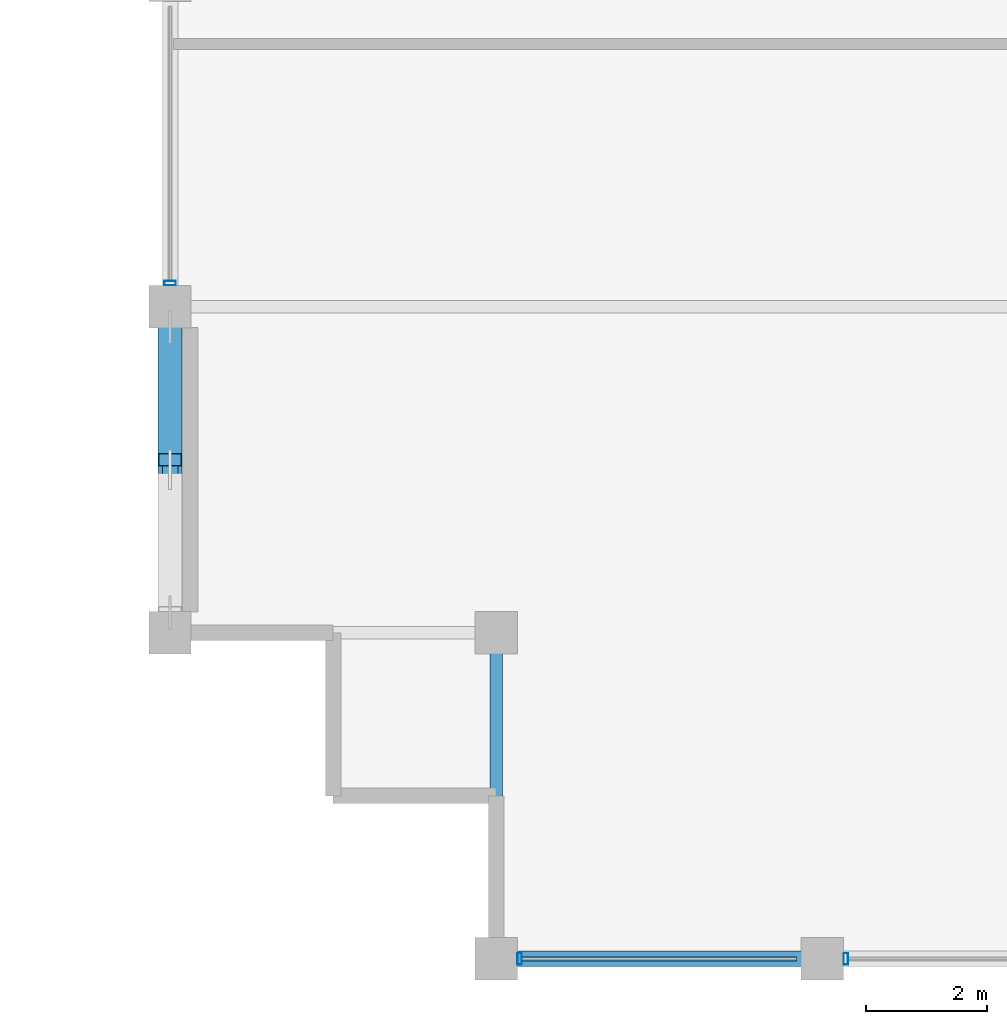
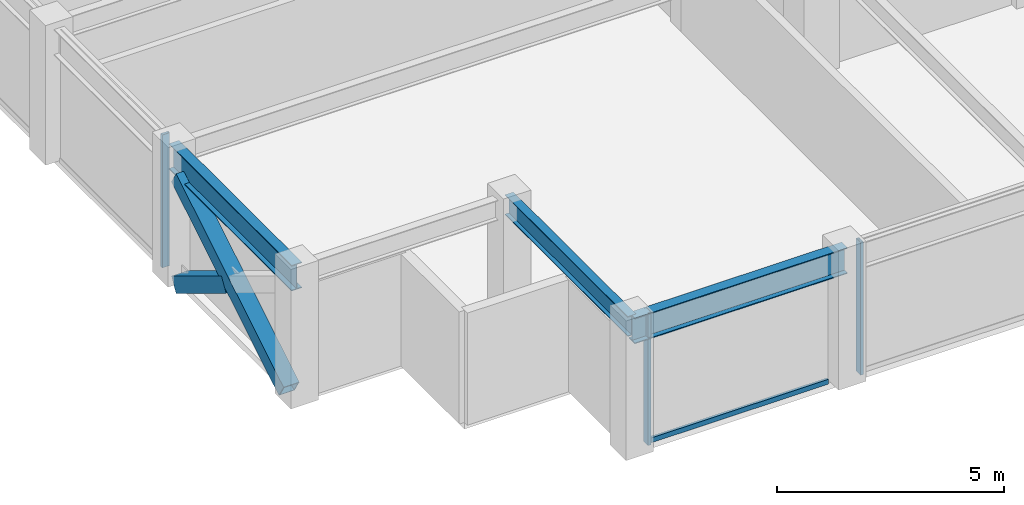
# One storey, part 2 of 31: 6 members, 3 beams, 2 elements without a shape of their own.
"""IFC4 building model written with IfcOpenShell, lengths in metres."""

from ifc_helpers import new_model, si_unit, direction, frame, origin, origin_2d, place, context, subcontext, project, spatial, hollow_rectangle, i_section, extrude, material, layer, layer_set, material_profile, profile_set, type_object, element, aggregate, save


model = new_model("IFC4")

# Units and contexts
model_context = context("Model", 3, precision=1e-05, world=origin(), true_north=direction((0.0, 1.0)))
body_context = subcontext(model_context, "Body", "Model", "MODEL_VIEW")
ifc_project = project(units=[si_unit("LENGTHUNIT", "METRE"), si_unit("AREAUNIT", "SQUARE_METRE"), si_unit("VOLUMEUNIT", "CUBIC_METRE"), si_unit("PLANEANGLEUNIT", "RADIAN"), si_unit("MASSUNIT", "GRAM", prefix="KILO")], contexts=[model_context])

# Site, building, storey
site_placement = place(None, origin())
site = spatial("IfcSite", under=ifc_project, at=site_placement, CompositionType="ELEMENT")
building_placement = place(site_placement, origin())
building = spatial("IfcBuilding", under=site, at=building_placement, Name="Surkhivell Harbour Commons", CompositionType="ELEMENT")
storey_placement = place(building_placement, frame((0.0, 0.0, 266.25)))
storey = spatial("IfcBuildingStorey", under=building, at=storey_placement, Name="L69", CompositionType="ELEMENT", Elevation=266.25)

# Beams
ifc_material_1 = material(Name="Steel S355", Category="steel")
ifc_material_profile_1 = material_profile(ifc_material_1, i_section(OverallWidth=0.2099609375, OverallDepth=0.537109375, WebThickness=0.0107421875, FlangeThickness=0.017333984375, at=origin_2d()), Name="UB533x210x101")
ifc_profile_set_1 = profile_set([ifc_material_profile_1], Name="Steel S355")
beam_type_1 = type_object("IfcBeamType", Name="BM-GRD-533B", PredefinedType="BEAM", material=ifc_profile_set_1)
beam_1_placement = place(storey_placement, frame((-21.60009765625, -21.60009765625, 3.301513671875), z_axis=(0.0, 1.0, 0.0), x_axis=(-1.0, 0.0, 0.0)))
element("IfcBeam", 1, at=beam_1_placement, inside=storey, type_object=beam_type_1, Name="L69 Floor Girder (-21.6,-21.6)", PredefinedType="BEAM", context=body_context, shape_type="SweptSolid", body=[
    extrude(i_section(OverallWidth=0.2099609375, OverallDepth=0.537109375, WebThickness=0.0107421875, FlangeThickness=0.017333984375, at=origin_2d()), origin(), (0.0, 0.0, 1.0), 5.400146484375),
])
ifc_material_profile_2 = material_profile(ifc_material_1, i_section(OverallWidth=0.256103515625, OverallDepth=0.693115234375, WebThickness=0.014404296875, FlangeThickness=0.023681640625, at=origin_2d()), Name="UB686x254x170")
ifc_profile_set_2 = profile_set([ifc_material_profile_2], Name="Steel S355")
beam_type_2 = type_object("IfcBeamType", Name="BM-SPN-686", PredefinedType="SPANDREL", material=ifc_profile_set_2)
beam_2_placement = place(storey_placement, frame((-27.0, -16.199951171875, 3.223388671875), z_axis=(0.0, 1.0, 0.0), x_axis=(-1.0, 0.0, 0.0)))
element("IfcBeam", 2, at=beam_2_placement, inside=storey, type_object=beam_type_2, Name="L69 Tube Spandrel (-27.0,-16.2)", PredefinedType="SPANDREL", context=body_context, shape_type="SweptSolid", body=[
    extrude(i_section(OverallWidth=0.256103515625, OverallDepth=0.693115234375, WebThickness=0.014404296875, FlangeThickness=0.023681640625, at=origin_2d()), origin(), (0.0, 0.0, 1.0), 5.39990234375),
])
beam_3_placement = place(storey_placement, frame((-21.60009765625, -21.60009765625, 3.223388671875), z_axis=(1.0, 0.0, 0.0), x_axis=(0.0, 1.0, 0.0)))
element("IfcBeam", 3, at=beam_3_placement, inside=storey, type_object=beam_type_2, Name="L69 Tube Spandrel (-21.6,-21.6)", PredefinedType="SPANDREL", context=body_context, shape_type="SweptSolid", body=[
    extrude(i_section(OverallWidth=0.256103515625, OverallDepth=0.693115234375, WebThickness=0.014404296875, FlangeThickness=0.023681640625, at=origin_2d()), origin(), (0.0, 0.0, 1.0), 5.400146484375),
])

# Curtain wall, members
ifc_material_2 = material(Name="Anodised pale-metal aluminium and insulated glazing", Category="aluminium")
ifc_layer = layer(ifc_material_2, 0.175048828125)
ifc_layer_set = layer_set([ifc_layer], Name="Anodised pale-metal aluminium and insulated glazing")
curtain_wall_type = type_object("IfcCurtainWallType", Name="CW-SYS-Z4", PredefinedType="NOTDEFINED", material=ifc_layer_set)
curtain_wall_1_placement = place(storey_placement, origin())
curtain_wall_1 = element("IfcCurtainWall", 4, at=curtain_wall_1_placement, inside=storey, type_object=curtain_wall_type, Name="L69 Curtain Wall CW-L69-E00S1", PredefinedType="NOTDEFINED")
ifc_material_3 = material(Name="Anodised pale-metal aluminium alloy 6063-T6", Category="aluminium")
ifc_material_profile_3 = material_profile(ifc_material_3, hollow_rectangle(XDim=0.074951171875, YDim=0.18994140625, WallThickness=0.00390625, at=origin_2d()), Name="ALU-MULL-75x190")
ifc_profile_set_3 = profile_set([ifc_material_profile_3], Name="Anodised pale-metal aluminium alloy 6063-T6")
member_type_1 = type_object("IfcMemberType", Name="CWM-190", PredefinedType="MULLION", material=ifc_profile_set_3)
member_1_placement = place(storey_placement, frame((-21.21044921875, -21.60009765625, 0.0), z_axis=(0.0, 0.0, 1.0), x_axis=(1.0, 0.0, 0.0)))
member_1 = element("IfcMember", 5, at=member_1_placement, type_object=member_type_1, Name="CW-Z4 mullion 1", PredefinedType="MULLION", context=body_context, shape_type="SweptSolid", body=[
    extrude(hollow_rectangle(XDim=0.074951171875, YDim=0.18994140625, WallThickness=0.00390625, at=origin_2d()), origin(), (0.0, 0.0, 1.0), 3.570068359375),
])
member_2_placement = place(storey_placement, frame((-15.810546875, -21.60009765625, 0.0), z_axis=(0.0, 0.0, 1.0), x_axis=(1.0, 0.0, 0.0)))
member_2 = element("IfcMember", 6, at=member_2_placement, type_object=member_type_1, Name="CW-Z4 mullion 2", PredefinedType="MULLION", context=body_context, shape_type="SweptSolid", body=[
    extrude(hollow_rectangle(XDim=0.074951171875, YDim=0.18994140625, WallThickness=0.00390625, at=origin_2d()), origin(), (0.0, 0.0, 1.0), 3.570068359375),
])

# Curtain wall, member
curtain_wall_2_placement = place(storey_placement, origin())
curtain_wall_2 = element("IfcCurtainWall", 7, at=curtain_wall_2_placement, inside=storey, type_object=curtain_wall_type, Name="L69 Curtain Wall CW-L69-E12R1S1", PredefinedType="NOTDEFINED")
member_3_placement = place(storey_placement, frame((-27.0, -10.410400390625, 0.0), z_axis=(0.0, 0.0, 1.0), x_axis=(0.0, 1.0, 0.0)))
member_3 = element("IfcMember", 8, at=member_3_placement, type_object=member_type_1, Name="CW-Z4 mullion 1", PredefinedType="MULLION", context=body_context, shape_type="SweptSolid", body=[
    extrude(hollow_rectangle(XDim=0.074951171875, YDim=0.18994140625, WallThickness=0.00390625, at=origin_2d()), origin(), (0.0, 0.0, 1.0), 3.570068359375),
])
aggregate(curtain_wall_2, [member_3])

# Member
ifc_material_4 = material(Name="Champagne anodised aluminium alloy 6063-T6", Category="aluminium")
ifc_material_profile_4 = material_profile(ifc_material_4, hollow_rectangle(XDim=0.070068359375, YDim=0.1298828125, WallThickness=0.00341796875, at=origin_2d()), Name="ALU-TRAN-70x130")
ifc_profile_set_4 = profile_set([ifc_material_profile_4], Name="Champagne anodised aluminium alloy 6063-T6")
member_type_2 = type_object("IfcMemberType", Name="CWT-130", PredefinedType="USERDEFINED", material=ifc_profile_set_4)
member_4_placement = place(storey_placement, frame((-21.173095703125, -21.60009765625, 0.06494140625), z_axis=(1.0, 0.0, 0.0), x_axis=(0.0, 1.0, 0.0)))
member_4 = element("IfcMember", 9, at=member_4_placement, type_object=member_type_2, Name="CW-Z4 transom 1.1", ObjectType="TRANSOM", PredefinedType="USERDEFINED", context=body_context, shape_type="SweptSolid", body=[
    extrude(hollow_rectangle(XDim=0.070068359375, YDim=0.1298828125, WallThickness=0.00341796875, at=origin_2d()), origin(), (0.0, 0.0, 1.0), 4.546142578125),
])

aggregate(curtain_wall_1, [member_1, member_4, member_2])

# Members
ifc_material_5 = material(Name="Steel S460", Category="steel")
ifc_material_profile_5 = material_profile(ifc_material_5, hollow_rectangle(XDim=0.39990234375, YDim=0.39990234375, WallThickness=0.02001953125, at=origin_2d()), Name="SHS400x400x20")
ifc_profile_set_5 = profile_set([ifc_material_profile_5], Name="Steel S460")
member_type_3 = type_object("IfcMemberType", Name="MEM-BRC-SHS400", PredefinedType="BRACE", material=ifc_profile_set_5)
member_5_placement = place(storey_placement, frame((-27.0, -15.864990234375, 0.008056640625), z_axis=(0.0, 0.854685454322, 0.519146197299), x_axis=(-1.0, 0.0, 0.0)))
element("IfcMember", 10, at=member_5_placement, inside=storey, type_object=member_type_3, Name="L69 Perimeter Mega-Brace MB- 10", PredefinedType="BRACE", context=body_context, shape_type="SweptSolid", body=[
    extrude(hollow_rectangle(XDim=0.39990234375, YDim=0.39990234375, WallThickness=0.02001953125, at=origin_2d()), origin(), (0.0, 0.0, 1.0), 5.5341796875),
])
member_6_placement = place(storey_placement, frame((-27.0, -11.135009765625, 0.008056640625), z_axis=(0.0, -0.854719912157, 0.519089464122), x_axis=(1.0, 0.0, 0.0)))
element("IfcMember", 11, at=member_6_placement, inside=storey, type_object=member_type_3, Name="L69 Perimeter Mega-Brace MB- 11", PredefinedType="BRACE", context=body_context, shape_type="SweptSolid", body=[
    extrude(hollow_rectangle(XDim=0.39990234375, YDim=0.39990234375, WallThickness=0.02001953125, at=origin_2d()), origin(), (0.0, 0.0, 1.0), 2.574951171875),
])

save(model, "model.ifc")
